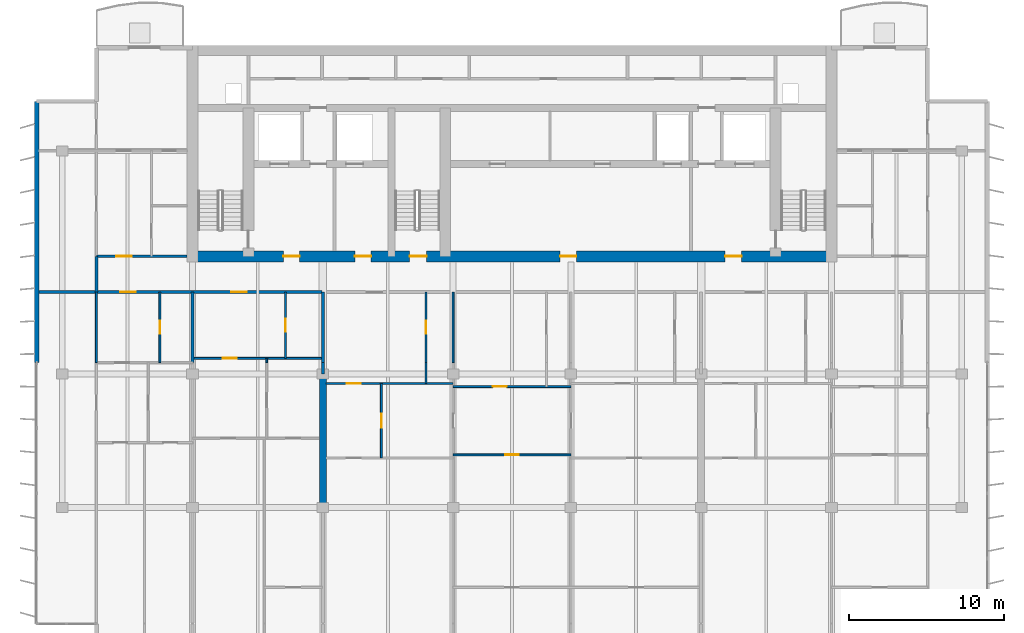
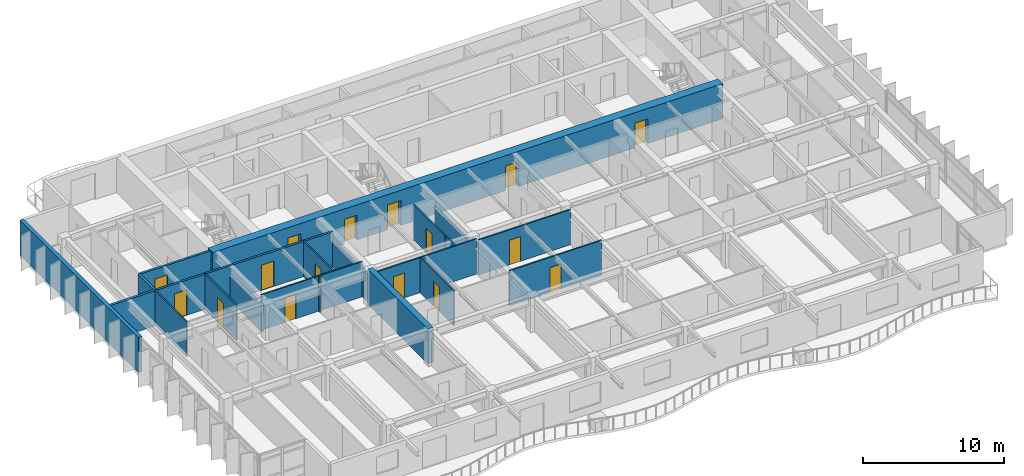
# One storey, part 7 of 16: 22 walls, 16 doors, 16 openings.
"""IFC4 building model written with IfcOpenShell, lengths in metres."""

from ifc_helpers import new_model, si_unit, direction, frame, frame_2d, origin, place, context, subcontext, project, spatial, rectangle, extrude, material, layer, layer_set, type_object, element, fill, save


model = new_model("IFC4")

# Units and contexts
model_context = context("Model", 3, precision=1e-05, world=origin(), true_north=direction((0.0, 1.0)))
body_context = subcontext(model_context, "Body", "Model", "MODEL_VIEW")
ifc_project = project(units=[si_unit("LENGTHUNIT", "METRE"), si_unit("AREAUNIT", "SQUARE_METRE"), si_unit("VOLUMEUNIT", "CUBIC_METRE"), si_unit("PLANEANGLEUNIT", "RADIAN"), si_unit("MASSUNIT", "GRAM", prefix="KILO")], contexts=[model_context])

# Site, building, storey
site_placement = place(None, origin())
site = spatial("IfcSite", under=ifc_project, at=site_placement, CompositionType="ELEMENT")
building_placement = place(site_placement, origin())
building = spatial("IfcBuilding", under=site, at=building_placement, Name="Caelmar Bay Residences", CompositionType="ELEMENT")
storey_placement = place(building_placement, frame((0.0, 0.0, 252.89990234375)))
storey = spatial("IfcBuildingStorey", under=building, at=storey_placement, Name="L71", CompositionType="ELEMENT", Elevation=252.89990234375)

# Wall, openings, doors
ifc_material_1 = material(Name="Concrete f'c 55 MPa (8,000 psi)", Category="concrete")
ifc_layer_1 = layer(ifc_material_1, 0.699951171875)
ifc_layer_set_1 = layer_set([ifc_layer_1], Name="Concrete f'c 55 MPa (8,000 psi)")
wall_type_1 = type_object("IfcWallType", Name="SW-COR-700", PredefinedType="SHEAR", material=ifc_layer_set_1)
wall_1_placement = place(storey_placement, frame((17.949951171875, 37.0, 0.0), z_axis=(0.0, 0.0, 1.0), x_axis=(1.0, 0.0, 0.0)))
wall_1 = element("IfcWall", 1, at=wall_1_placement, inside=storey, type_object=wall_type_1, Name="L71 Rear Core South Shear Wall", PredefinedType="SHEAR", context=body_context, shape_type="SweptSolid", body=[
    extrude(rectangle(XDim=41.900146484375, YDim=0.699951171875, at=frame_2d((20.9501953125, 0.0))), origin(), (0.0, 0.0, 1.0), 3.050048828125),
])
opening_1_placement = place(wall_1_placement, frame((14.35009765625, 0.0, 0.0)))
opening_1 = element("IfcOpeningElement", 2, at=opening_1_placement, cuts=wall_1, Name="Opening D-L71-105", PredefinedType="OPENING", context=body_context, shape_type="SweptSolid", body=[
    extrude(rectangle(XDim=1.10009765625, YDim=2.14990234375, at=frame_2d((0.550048828125, 1.074951171875))), frame((0.0, 0.35986328125, 0.0), z_axis=(0.0, -1.0, 0.0), x_axis=(1.0, 0.0, 0.0)), (0.0, 0.0, 1.0), 0.719970703125),
])
opening_2_placement = place(wall_1_placement, frame((6.199951171875, 0.0, 0.0)))
opening_2 = element("IfcOpeningElement", 3, at=opening_2_placement, cuts=wall_1, Name="Opening D-L71-106", PredefinedType="OPENING", context=body_context, shape_type="SweptSolid", body=[
    extrude(rectangle(XDim=1.050048828125, YDim=2.14990234375, at=frame_2d((0.52490234375, 1.074951171875))), frame((0.0, 0.35986328125, 0.0), z_axis=(0.0, -1.0, 0.0), x_axis=(1.0, 0.0, 0.0)), (0.0, 0.0, 1.0), 0.719970703125),
])
opening_3_placement = place(wall_1_placement, frame((34.699951171875, 0.0, 0.0)))
opening_3 = element("IfcOpeningElement", 4, at=opening_3_placement, cuts=wall_1, Name="Opening D-L71-109", PredefinedType="OPENING", context=body_context, shape_type="SweptSolid", body=[
    extrude(rectangle(XDim=1.050048828125, YDim=2.14990234375, at=frame_2d((0.52490234375, 1.074951171875))), frame((0.0, 0.35986328125, 0.0), z_axis=(0.0, -1.0, 0.0), x_axis=(1.0, 0.0, 0.0)), (0.0, 0.0, 1.0), 0.719970703125),
])
opening_4_placement = place(wall_1_placement, frame((10.8125, 0.0, 0.0)))
opening_4 = element("IfcOpeningElement", 5, at=opening_4_placement, cuts=wall_1, Name="Opening D-L71-112", PredefinedType="OPENING", context=body_context, shape_type="SweptSolid", body=[
    extrude(rectangle(XDim=1.050048828125, YDim=2.14990234375, at=frame_2d((0.52490234375, 1.074951171875))), frame((0.0, 0.35986328125, 0.0), z_axis=(0.0, -1.0, 0.0), x_axis=(1.0, 0.0, 0.0)), (0.0, 0.0, 1.0), 0.719970703125),
])
opening_5_placement = place(wall_1_placement, frame((24.050048828125, 0.0, 0.0)))
opening_5 = element("IfcOpeningElement", 6, at=opening_5_placement, cuts=wall_1, Name="Opening D-L71-113", PredefinedType="OPENING", context=body_context, shape_type="SweptSolid", body=[
    extrude(rectangle(XDim=1.050048828125, YDim=2.14990234375, at=frame_2d((0.52490234375, 1.074951171875))), frame((0.0, 0.35986328125, 0.0), z_axis=(0.0, -1.0, 0.0), x_axis=(1.0, 0.0, 0.0)), (0.0, 0.0, 1.0), 0.719970703125),
])
ifc_material_2 = material(Name="Fire-rated steel and walnut architectural door assembly", Category="steel")
ifc_layer_2 = layer(ifc_material_2, 0.050048828125)
ifc_layer_set_2 = layer_set([ifc_layer_2], Name="Fire-rated steel and walnut architectural door assembly")
door_type_1 = type_object("IfcDoorType", Name="D-FSAE-1050", OperationType="NOTDEFINED", PredefinedType="DOOR", material=ifc_layer_set_2)
door_1_placement = place(opening_2_placement, origin())
door_1 = element("IfcDoor", 7, at=door_1_placement, inside=storey, type_object=door_type_1, Name="L71 Firefighting Lobby West Door", OperationType="SINGLE_SWING_LEFT", OverallHeight=2.14990234375, OverallWidth=1.050048828125, PredefinedType="DOOR", context=body_context, shape_type="SweptSolid", body=[
    extrude(rectangle(XDim=1.050048828125, YDim=2.14990234375, at=frame_2d((0.52490234375, 1.074951171875))), frame((0.0, 0.02490234375, 0.0), z_axis=(0.0, -1.0, 0.0), x_axis=(1.0, 0.0, 0.0)), (0.0, 0.0, 1.0), 0.050048828125),
])
fill(opening_2, door_1)
door_2_placement = place(opening_3_placement, origin())
door_2 = element("IfcDoor", 8, at=door_2_placement, inside=storey, type_object=door_type_1, Name="L71 Firefighting Lobby East Door", OperationType="SINGLE_SWING_RIGHT", OverallHeight=2.14990234375, OverallWidth=1.050048828125, PredefinedType="DOOR", context=body_context, shape_type="SweptSolid", body=[
    extrude(rectangle(XDim=1.050048828125, YDim=2.14990234375, at=frame_2d((0.52490234375, 1.074951171875))), frame((0.0, 0.02490234375, 0.0), z_axis=(0.0, -1.0, 0.0), x_axis=(1.0, 0.0, 0.0)), (0.0, 0.0, 1.0), 0.050048828125),
])
fill(opening_3, door_2)
door_3_placement = place(opening_4_placement, origin())
door_3 = element("IfcDoor", 9, at=door_3_placement, inside=storey, type_object=door_type_1, Name="L71 West Lift Lobby Door", OperationType="SINGLE_SWING_LEFT", OverallHeight=2.14990234375, OverallWidth=1.050048828125, PredefinedType="DOOR", context=body_context, shape_type="SweptSolid", body=[
    extrude(rectangle(XDim=1.050048828125, YDim=2.14990234375, at=frame_2d((0.52490234375, 1.074951171875))), frame((0.0, 0.02490234375, 0.0), z_axis=(0.0, -1.0, 0.0), x_axis=(1.0, 0.0, 0.0)), (0.0, 0.0, 1.0), 0.050048828125),
])
fill(opening_4, door_3)
door_4_placement = place(opening_5_placement, origin())
door_4 = element("IfcDoor", 10, at=door_4_placement, inside=storey, type_object=door_type_1, Name="L71 Passenger Lift Lobby Door", OperationType="SINGLE_SWING_RIGHT", OverallHeight=2.14990234375, OverallWidth=1.050048828125, PredefinedType="DOOR", context=body_context, shape_type="SweptSolid", body=[
    extrude(rectangle(XDim=1.050048828125, YDim=2.14990234375, at=frame_2d((0.52490234375, 1.074951171875))), frame((0.0, 0.02490234375, 0.0), z_axis=(0.0, -1.0, 0.0), x_axis=(1.0, 0.0, 0.0)), (0.0, 0.0, 1.0), 0.050048828125),
])
fill(opening_5, door_4)
ifc_layer_3 = layer(ifc_material_2, 0.050048828125)
ifc_layer_set_3 = layer_set([ifc_layer_3], Name="Fire-rated steel and walnut architectural door assembly")
door_type_2 = type_object("IfcDoorType", Name="D-STAIR-1100", OperationType="NOTDEFINED", PredefinedType="DOOR", material=ifc_layer_set_3)
door_5_placement = place(opening_1_placement, origin())
door_5 = element("IfcDoor", 11, at=door_5_placement, inside=storey, type_object=door_type_2, Name="L71 Exit Stair ST3 Door", OperationType="SINGLE_SWING_RIGHT", OverallHeight=2.14990234375, OverallWidth=1.10009765625, PredefinedType="DOOR", context=body_context, shape_type="SweptSolid", body=[
    extrude(rectangle(XDim=1.10009765625, YDim=2.14990234375, at=frame_2d((0.550048828125, 1.074951171875))), frame((0.0, 0.02490234375, 0.0), z_axis=(0.0, -1.0, 0.0), x_axis=(1.0, 0.0, 0.0)), (0.0, 0.0, 1.0), 0.050048828125),
])
fill(opening_1, door_5)

# Walls
ifc_layer_4 = layer(ifc_material_1, 0.449951171875)
ifc_layer_set_4 = layer_set([ifc_layer_4], Name="Concrete f'c 55 MPa (8,000 psi)")
wall_type_2 = type_object("IfcWallType", Name="SW-XSLB-450", PredefinedType="SHEAR", material=ifc_layer_set_4)
wall_2_placement = place(storey_placement, frame((26.699951171875, 20.800048828125, 0.0), z_axis=(0.0, 0.0, 1.0), x_axis=(0.0, 1.0, 0.0)))
element("IfcWall", 12, at=wall_2_placement, inside=storey, type_object=wall_type_2, Name="L71 Transverse Cross-Slab Shear Wall W5", PredefinedType="SHEAR", context=body_context, shape_type="SweptSolid", body=[
    extrude(rectangle(XDim=8.599853515625, YDim=0.449951171875, at=frame_2d((4.2998046875, 0.0))), origin(), (0.0, 0.0, 1.0), 3.050048828125),
])
ifc_material_3 = material(Name="Double-stud acoustic fire-rated gypsum partition 180 mm")
ifc_layer_5 = layer(ifc_material_3, 0.179931640625)
ifc_layer_set_5 = layer_set([ifc_layer_5], Name="Double-stud acoustic fire-rated gypsum partition 180 mm")
wall_type_3 = type_object("IfcWallType", Name="W-COR-200", PredefinedType="PARTITIONING", material=ifc_layer_set_5)
wall_3_placement = place(storey_placement, frame((12.10009765625, 34.705078125, 0.0), z_axis=(0.0, 0.0, 1.0), x_axis=(0.0, 1.0, 0.0)))
element("IfcWall", 13, at=wall_3_placement, inside=storey, type_object=wall_type_3, Name="L71 Partition Wall V003", PredefinedType="PARTITIONING", context=body_context, shape_type="SweptSolid", body=[
    extrude(rectangle(XDim=2.294921875, YDim=0.179931640625, at=frame_2d((1.1474609375, 0.0))), origin(), (0.0, 0.0, 1.0), 3.050048828125),
])

# Wall, openings, doors
wall_4_placement = place(storey_placement, frame((12.10498046875, 34.699951171875, 0.0), z_axis=(0.0, 0.0, 1.0), x_axis=(1.0, 0.0, 0.0)))
wall_4 = element("IfcWall", 14, at=wall_4_placement, inside=storey, type_object=wall_type_3, Name="L71 Partition Wall H085", PredefinedType="PARTITIONING", context=body_context, shape_type="SweptSolid", body=[
    extrude(rectangle(XDim=14.544921875, YDim=0.179931640625, at=frame_2d((7.2724609375, 0.0))), origin(), (0.0, 0.0, 1.0), 3.050048828125),
])
opening_6_placement = place(wall_4_placement, frame((1.544921875, 0.0, 0.0)))
opening_6 = element("IfcOpeningElement", 15, at=opening_6_placement, cuts=wall_4, Name="Opening D-L71-124", PredefinedType="OPENING", context=body_context, shape_type="SweptSolid", body=[
    extrude(rectangle(XDim=1.0, YDim=2.199951171875, at=frame_2d((0.5, 1.10009765625))), frame((0.0, 0.099853515625, 0.0), z_axis=(0.0, -1.0, 0.0), x_axis=(1.0, 0.0, 0.0)), (0.0, 0.0, 1.0), 0.199951171875),
])
opening_7_placement = place(wall_4_placement, frame((8.69140625, 0.0, 0.0)))
opening_7 = element("IfcOpeningElement", 16, at=opening_7_placement, cuts=wall_4, Name="Opening D-L71-130", PredefinedType="OPENING", context=body_context, shape_type="SweptSolid", body=[
    extrude(rectangle(XDim=1.0, YDim=2.199951171875, at=frame_2d((0.5, 1.10009765625))), frame((0.0, 0.099853515625, 0.0), z_axis=(0.0, -1.0, 0.0), x_axis=(1.0, 0.0, 0.0)), (0.0, 0.0, 1.0), 0.199951171875),
])
ifc_layer_6 = layer(ifc_material_2, 0.050048828125)
ifc_layer_set_6 = layer_set([ifc_layer_6], Name="Fire-rated steel and walnut architectural door assembly")
door_type_3 = type_object("IfcDoorType", Name="D-UNIT-1000", OperationType="NOTDEFINED", PredefinedType="DOOR", material=ifc_layer_set_6)
door_6_placement = place(opening_6_placement, origin())
door_6 = element("IfcDoor", 17, at=door_6_placement, inside=storey, type_object=door_type_3, Name="L71 Residence 01 Apartment Hall Door", OperationType="SINGLE_SWING_LEFT", OverallHeight=2.199951171875, OverallWidth=1.0, PredefinedType="DOOR", context=body_context, shape_type="SweptSolid", body=[
    extrude(rectangle(XDim=1.0, YDim=2.199951171875, at=frame_2d((0.5, 1.10009765625))), frame((0.0, 0.02490234375, 0.0), z_axis=(0.0, -1.0, 0.0), x_axis=(1.0, 0.0, 0.0)), (0.0, 0.0, 1.0), 0.050048828125),
])
fill(opening_6, door_6)
door_7_placement = place(opening_7_placement, origin())
door_7 = element("IfcDoor", 18, at=door_7_placement, inside=storey, type_object=door_type_3, Name="L71 Residence 02 Apartment Hall Door", OperationType="SINGLE_SWING_LEFT", OverallHeight=2.199951171875, OverallWidth=1.0, PredefinedType="DOOR", context=body_context, shape_type="SweptSolid", body=[
    extrude(rectangle(XDim=1.0, YDim=2.199951171875, at=frame_2d((0.5, 1.10009765625))), frame((0.0, 0.02490234375, 0.0), z_axis=(0.0, -1.0, 0.0), x_axis=(1.0, 0.0, 0.0)), (0.0, 0.0, 1.0), 0.050048828125),
])
fill(opening_7, door_7)

# Wall, opening, door
wall_5_placement = place(storey_placement, frame((12.10009765625, 37.0, 0.0), z_axis=(0.0, 0.0, 1.0), x_axis=(1.0, 0.0, 0.0)))
wall_5 = element("IfcWall", 19, at=wall_5_placement, inside=storey, type_object=wall_type_3, Name="L71 Partition Wall H088", PredefinedType="PARTITIONING", context=body_context, shape_type="SweptSolid", body=[
    extrude(rectangle(XDim=5.844970703125, YDim=0.179931640625, at=frame_2d((2.92236328125, 0.0))), origin(), (0.0, 0.0, 1.0), 3.050048828125),
])
opening_8_placement = place(wall_5_placement, frame((1.27490234375, 0.0, 0.0)))
opening_8 = element("IfcOpeningElement", 20, at=opening_8_placement, cuts=wall_5, Name="Opening D-L71-164", PredefinedType="OPENING", context=body_context, shape_type="SweptSolid", body=[
    extrude(rectangle(XDim=1.0, YDim=2.199951171875, at=frame_2d((0.5, 1.10009765625))), frame((0.0, 0.099853515625, 0.0), z_axis=(0.0, -1.0, 0.0), x_axis=(1.0, 0.0, 0.0)), (0.0, 0.0, 1.0), 0.199951171875),
])
door_8_placement = place(opening_8_placement, origin())
door_8 = element("IfcDoor", 21, at=door_8_placement, inside=storey, type_object=door_type_3, Name="L71 Residence WA Kitchen Door", OperationType="SINGLE_SWING_LEFT", OverallHeight=2.199951171875, OverallWidth=1.0, PredefinedType="DOOR", context=body_context, shape_type="SweptSolid", body=[
    extrude(rectangle(XDim=1.0, YDim=2.199951171875, at=frame_2d((0.5, 1.10009765625))), frame((0.0, 0.02490234375, 0.0), z_axis=(0.0, -1.0, 0.0), x_axis=(1.0, 0.0, 0.0)), (0.0, 0.0, 1.0), 0.050048828125),
])
fill(opening_8, door_8)

# Walls
ifc_material_4 = material(Name="Precast concrete f'c 40 MPa (6,000 psi)", Category="concrete")
ifc_layer_7 = layer(ifc_material_4, 0.300048828125)
ifc_layer_set_7 = layer_set([ifc_layer_7], Name="Precast concrete f'c 40 MPa (6,000 psi)")
wall_type_4 = type_object("IfcWallType", Name="W-EXT-300", PredefinedType="STANDARD", material=ifc_layer_set_7)
wall_6_placement = place(storey_placement, frame((8.25, 30.14990234375, 0.0), z_axis=(0.0, 0.0, 1.0), x_axis=(0.0, 1.0, 0.0)))
element("IfcWall", 22, at=wall_6_placement, inside=storey, type_object=wall_type_4, Name="L71 West Rear Exterior Wall", PredefinedType="STANDARD", context=body_context, shape_type="SweptSolid", body=[
    extrude(rectangle(XDim=16.85009765625, YDim=0.300048828125, at=frame_2d((8.425048828125, 0.0))), origin(), (0.0, 0.0, 1.0), 3.050048828125),
])
ifc_material_5 = material(Name="Acoustic metal-stud gypsum partition 120 mm")
ifc_layer_8 = layer(ifc_material_5, 0.1201171875)
ifc_layer_set_8 = layer_set([ifc_layer_8], Name="Acoustic metal-stud gypsum partition 120 mm")
wall_type_5 = type_object("IfcWallType", Name="W-PRT-120", PredefinedType="PARTITIONING", material=ifc_layer_set_8)
wall_7_placement = place(storey_placement, frame((12.10009765625, 30.14990234375, 0.0), z_axis=(0.0, 0.0, 1.0), x_axis=(0.0, 1.0, 0.0)))
element("IfcWall", 23, at=wall_7_placement, inside=storey, type_object=wall_type_5, Name="L71 Partition Wall V002", PredefinedType="PARTITIONING", context=body_context, shape_type="SweptSolid", body=[
    extrude(rectangle(XDim=4.550048828125, YDim=0.1201171875, at=frame_2d((2.27490234375, 0.0))), origin(), (0.0, 0.0, 1.0), 3.050048828125),
])

# Wall, opening, door
wall_8_placement = place(storey_placement, frame((16.195068359375, 30.14990234375, 0.0), z_axis=(0.0, 0.0, 1.0), x_axis=(0.0, 1.0, 0.0)))
wall_8 = element("IfcWall", 24, at=wall_8_placement, inside=storey, type_object=wall_type_5, Name="L71 Partition Wall V009", PredefinedType="PARTITIONING", context=body_context, shape_type="SweptSolid", body=[
    extrude(rectangle(XDim=4.550048828125, YDim=0.1201171875, at=frame_2d((2.27490234375, 0.0))), origin(), (0.0, 0.0, 1.0), 3.050048828125),
])
opening_9_placement = place(wall_8_placement, frame((1.85009765625, 0.0, 0.0)))
opening_9 = element("IfcOpeningElement", 25, at=opening_9_placement, cuts=wall_8, Name="Opening D-L71-125", PredefinedType="OPENING", context=body_context, shape_type="SweptSolid", body=[
    extrude(rectangle(XDim=0.85009765625, YDim=2.10009765625, at=frame_2d((0.425048828125, 1.050048828125))), frame((0.0, 0.070068359375, 0.0), z_axis=(0.0, -1.0, 0.0), x_axis=(1.0, 0.0, 0.0)), (0.0, 0.0, 1.0), 0.14013671875),
])
ifc_material_6 = material(Name="Solid walnut timber interior door leaf and frame", Category="wood")
ifc_layer_9 = layer(ifc_material_6, 0.050048828125)
ifc_layer_set_9 = layer_set([ifc_layer_9], Name="Solid walnut timber interior door leaf and frame")
door_type_4 = type_object("IfcDoorType", Name="D-BATH-850", OperationType="NOTDEFINED", PredefinedType="DOOR", material=ifc_layer_set_9)
door_9_placement = place(opening_9_placement, origin())
door_9 = element("IfcDoor", 26, at=door_9_placement, inside=storey, type_object=door_type_4, Name="L71 Residence 01 Bathroom Door", OperationType="SINGLE_SWING_RIGHT", OverallHeight=2.10009765625, OverallWidth=0.85009765625, PredefinedType="DOOR", context=body_context, shape_type="SweptSolid", body=[
    extrude(rectangle(XDim=0.85009765625, YDim=2.10009765625, at=frame_2d((0.425048828125, 1.050048828125))), frame((0.0, 0.02490234375, 0.0), z_axis=(0.0, -1.0, 0.0), x_axis=(1.0, 0.0, 0.0)), (0.0, 0.0, 1.0), 0.050048828125),
])
fill(opening_9, door_9)

# Wall
wall_9_placement = place(storey_placement, frame((23.0859375, 30.14990234375, 0.0), z_axis=(0.0, 0.0, 1.0), x_axis=(0.0, 1.0, 0.0)))
element("IfcWall", 27, at=wall_9_placement, inside=storey, type_object=wall_type_5, Name="L71 Partition Wall V017", PredefinedType="PARTITIONING", context=body_context, shape_type="SweptSolid", body=[
    extrude(rectangle(XDim=0.27001953125, YDim=0.1201171875, at=frame_2d((0.135009765625, 0.0))), origin(), (0.0, 0.0, 1.0), 3.050048828125),
])

# Wall, opening, door
wall_10_placement = place(storey_placement, frame((24.29296875, 30.419921875, 0.0), z_axis=(0.0, 0.0, 1.0), x_axis=(0.0, 1.0, 0.0)))
wall_10 = element("IfcWall", 28, at=wall_10_placement, inside=storey, type_object=wall_type_5, Name="L71 Partition Wall V018", PredefinedType="PARTITIONING", context=body_context, shape_type="SweptSolid", body=[
    extrude(rectangle(XDim=4.280029296875, YDim=0.1201171875, at=frame_2d((2.14013671875, 0.0))), origin(), (0.0, 0.0, 1.0), 3.050048828125),
])
opening_10_placement = place(wall_10_placement, frame((1.715087890625, 0.0, 0.0)))
opening_10 = element("IfcOpeningElement", 29, at=opening_10_placement, cuts=wall_10, Name="Opening D-L71-131", PredefinedType="OPENING", context=body_context, shape_type="SweptSolid", body=[
    extrude(rectangle(XDim=0.85009765625, YDim=2.10009765625, at=frame_2d((0.425048828125, 1.050048828125))), frame((0.0, 0.070068359375, 0.0), z_axis=(0.0, -1.0, 0.0), x_axis=(1.0, 0.0, 0.0)), (0.0, 0.0, 1.0), 0.14013671875),
])
door_10_placement = place(opening_10_placement, origin())
door_10 = element("IfcDoor", 30, at=door_10_placement, inside=storey, type_object=door_type_4, Name="L71 Residence 02 Bathroom Door", OperationType="SINGLE_SWING_RIGHT", OverallHeight=2.10009765625, OverallWidth=0.85009765625, PredefinedType="DOOR", context=body_context, shape_type="SweptSolid", body=[
    extrude(rectangle(XDim=0.85009765625, YDim=2.10009765625, at=frame_2d((0.425048828125, 1.050048828125))), frame((0.0, 0.02490234375, 0.0), z_axis=(0.0, -1.0, 0.0), x_axis=(1.0, 0.0, 0.0)), (0.0, 0.0, 1.0), 0.050048828125),
])
fill(opening_10, door_10)

wall_11_placement = place(storey_placement, frame((30.47998046875, 24.0, 0.0), z_axis=(0.0, 0.0, 1.0), x_axis=(0.0, 1.0, 0.0)))
wall_11 = element("IfcWall", 31, at=wall_11_placement, inside=storey, type_object=wall_type_5, Name="L71 Partition Wall V027", PredefinedType="PARTITIONING", context=body_context, shape_type="SweptSolid", body=[
    extrude(rectangle(XDim=4.800048828125, YDim=0.1201171875, at=frame_2d((2.39990234375, 0.0))), origin(), (0.0, 0.0, 1.0), 3.050048828125),
])
opening_11_placement = place(wall_11_placement, frame((1.949951171875, 0.0, 0.0)))
opening_11 = element("IfcOpeningElement", 32, at=opening_11_placement, cuts=wall_11, Name="Opening D-L71-140", PredefinedType="OPENING", context=body_context, shape_type="SweptSolid", body=[
    extrude(rectangle(XDim=0.89990234375, YDim=2.14990234375, at=frame_2d((0.449951171875, 1.074951171875))), frame((0.0, 0.070068359375, 0.0), z_axis=(0.0, -1.0, 0.0), x_axis=(1.0, 0.0, 0.0)), (0.0, 0.0, 1.0), 0.14013671875),
])
ifc_layer_10 = layer(ifc_material_6, 0.050048828125)
ifc_layer_set_10 = layer_set([ifc_layer_10], Name="Solid walnut timber interior door leaf and frame")
door_type_5 = type_object("IfcDoorType", Name="D-ROOM-900", OperationType="NOTDEFINED", PredefinedType="DOOR", material=ifc_layer_set_10)
door_11_placement = place(opening_11_placement, origin())
door_11 = element("IfcDoor", 33, at=door_11_placement, inside=storey, type_object=door_type_5, Name="L71 Residence 03 Kitchen Door", OperationType="SINGLE_SWING_LEFT", OverallHeight=2.14990234375, OverallWidth=0.89990234375, PredefinedType="DOOR", context=body_context, shape_type="SweptSolid", body=[
    extrude(rectangle(XDim=0.89990234375, YDim=2.14990234375, at=frame_2d((0.449951171875, 1.074951171875))), frame((0.0, 0.02490234375, 0.0), z_axis=(0.0, -1.0, 0.0), x_axis=(1.0, 0.0, 0.0)), (0.0, 0.0, 1.0), 0.050048828125),
])
fill(opening_11, door_11)

# Wall
wall_12_placement = place(storey_placement, frame((33.35400390625, 28.800048828125, 0.0), z_axis=(0.0, 0.0, 1.0), x_axis=(0.0, 1.0, 0.0)))
element("IfcWall", 34, at=wall_12_placement, inside=storey, type_object=wall_type_5, Name="L71 Partition Wall V029", PredefinedType="PARTITIONING", context=body_context, shape_type="SweptSolid", body=[
    extrude(rectangle(XDim=1.33984375, YDim=0.1201171875, at=frame_2d((0.669921875, 0.0))), origin(), (0.0, 0.0, 1.0), 3.050048828125),
])

# Wall, opening, door
wall_13_placement = place(storey_placement, frame((33.35400390625, 30.14990234375, 0.0), z_axis=(0.0, 0.0, 1.0), x_axis=(0.0, 1.0, 0.0)))
wall_13 = element("IfcWall", 35, at=wall_13_placement, inside=storey, type_object=wall_type_5, Name="L71 Partition Wall V030", PredefinedType="PARTITIONING", context=body_context, shape_type="SweptSolid", body=[
    extrude(rectangle(XDim=4.550048828125, YDim=0.1201171875, at=frame_2d((2.27490234375, 0.0))), origin(), (0.0, 0.0, 1.0), 3.050048828125),
])
opening_12_placement = place(wall_13_placement, frame((1.85009765625, 0.0, 0.0)))
opening_12 = element("IfcOpeningElement", 36, at=opening_12_placement, cuts=wall_13, Name="Opening D-L71-138", PredefinedType="OPENING", context=body_context, shape_type="SweptSolid", body=[
    extrude(rectangle(XDim=0.85009765625, YDim=2.10009765625, at=frame_2d((0.425048828125, 1.050048828125))), frame((0.0, 0.070068359375, 0.0), z_axis=(0.0, -1.0, 0.0), x_axis=(1.0, 0.0, 0.0)), (0.0, 0.0, 1.0), 0.14013671875),
])
door_12_placement = place(opening_12_placement, origin())
door_12 = element("IfcDoor", 37, at=door_12_placement, inside=storey, type_object=door_type_4, Name="L71 Residence 03 Guest Bathroom Door", OperationType="SINGLE_SWING_LEFT", OverallHeight=2.10009765625, OverallWidth=0.85009765625, PredefinedType="DOOR", context=body_context, shape_type="SweptSolid", body=[
    extrude(rectangle(XDim=0.85009765625, YDim=2.10009765625, at=frame_2d((0.425048828125, 1.050048828125))), frame((0.0, 0.02490234375, 0.0), z_axis=(0.0, -1.0, 0.0), x_axis=(1.0, 0.0, 0.0)), (0.0, 0.0, 1.0), 0.050048828125),
])
fill(opening_12, door_12)

# Wall
wall_14_placement = place(storey_placement, frame((35.10009765625, 30.14990234375, 0.0), z_axis=(0.0, 0.0, 1.0), x_axis=(0.0, 1.0, 0.0)))
element("IfcWall", 38, at=wall_14_placement, inside=storey, type_object=wall_type_5, Name="L71 Partition Wall V033", PredefinedType="PARTITIONING", context=body_context, shape_type="SweptSolid", body=[
    extrude(rectangle(XDim=4.550048828125, YDim=0.1201171875, at=frame_2d((2.27490234375, 0.0))), origin(), (0.0, 0.0, 1.0), 2.26318359375),
])

# Wall, opening, door
wall_15_placement = place(storey_placement, frame((35.10498046875, 24.199951171875, 0.0), z_axis=(0.0, 0.0, 1.0), x_axis=(1.0, 0.0, 0.0)))
wall_15 = element("IfcWall", 39, at=wall_15_placement, inside=storey, type_object=wall_type_5, Name="L71 Partition Wall H073", PredefinedType="PARTITIONING", context=body_context, shape_type="SweptSolid", body=[
    extrude(rectangle(XDim=7.590087890625, YDim=0.1201171875, at=frame_2d((3.794921875, 0.0))), origin(), (0.0, 0.0, 1.0), 3.050048828125),
])
opening_13_placement = place(wall_15_placement, frame((3.344970703125, 0.0, 0.0)))
opening_13 = element("IfcOpeningElement", 40, at=opening_13_placement, cuts=wall_15, Name="Opening D-L71-145", PredefinedType="OPENING", context=body_context, shape_type="SweptSolid", body=[
    extrude(rectangle(XDim=0.89990234375, YDim=2.14990234375, at=frame_2d((0.449951171875, 1.074951171875))), frame((0.0, 0.070068359375, 0.0), z_axis=(0.0, -1.0, 0.0), x_axis=(1.0, 0.0, 0.0)), (0.0, 0.0, 1.0), 0.14013671875),
])
door_13_placement = place(opening_13_placement, origin())
door_13 = element("IfcDoor", 41, at=door_13_placement, inside=storey, type_object=door_type_5, Name="L71 Residence 03 Penthouse Sitting Salon 1 Door", OperationType="SINGLE_SWING_RIGHT", OverallHeight=2.14990234375, OverallWidth=0.89990234375, PredefinedType="DOOR", context=body_context, shape_type="SweptSolid", body=[
    extrude(rectangle(XDim=0.89990234375, YDim=2.14990234375, at=frame_2d((0.449951171875, 1.074951171875))), frame((0.0, 0.02490234375, 0.0), z_axis=(0.0, -1.0, 0.0), x_axis=(1.0, 0.0, 0.0)), (0.0, 0.0, 1.0), 0.050048828125),
])
fill(opening_13, door_13)

wall_16_placement = place(storey_placement, frame((35.10009765625, 28.60009765625, 0.0), z_axis=(0.0, 0.0, 1.0), x_axis=(1.0, 0.0, 0.0)))
wall_16 = element("IfcWall", 42, at=wall_16_placement, inside=storey, type_object=wall_type_5, Name="L71 Partition Wall H077", PredefinedType="PARTITIONING", context=body_context, shape_type="SweptSolid", body=[
    extrude(rectangle(XDim=7.599853515625, YDim=0.1201171875, at=frame_2d((3.7998046875, 0.0))), origin(), (0.0, 0.0, 1.0), 3.050048828125),
])
opening_14_placement = place(wall_16_placement, frame((2.56298828125, 0.0, 0.0)))
opening_14 = element("IfcOpeningElement", 43, at=opening_14_placement, cuts=wall_16, Name="Opening D-L71-143", PredefinedType="OPENING", context=body_context, shape_type="SweptSolid", body=[
    extrude(rectangle(XDim=0.89990234375, YDim=2.14990234375, at=frame_2d((0.449951171875, 1.074951171875))), frame((0.0, 0.070068359375, 0.0), z_axis=(0.0, -1.0, 0.0), x_axis=(1.0, 0.0, 0.0)), (0.0, 0.0, 1.0), 0.14013671875),
])
door_14_placement = place(opening_14_placement, origin())
door_14 = element("IfcDoor", 44, at=door_14_placement, inside=storey, type_object=door_type_5, Name="L71 Residence 03 Private Meeting Room 1 Door", OperationType="SINGLE_SWING_RIGHT", OverallHeight=2.14990234375, OverallWidth=0.89990234375, PredefinedType="DOOR", context=body_context, shape_type="SweptSolid", body=[
    extrude(rectangle(XDim=0.89990234375, YDim=2.14990234375, at=frame_2d((0.449951171875, 1.074951171875))), frame((0.0, 0.02490234375, 0.0), z_axis=(0.0, -1.0, 0.0), x_axis=(1.0, 0.0, 0.0)), (0.0, 0.0, 1.0), 0.050048828125),
])
fill(opening_14, door_14)

wall_17_placement = place(storey_placement, frame((26.919921875, 28.800048828125, 0.0), z_axis=(0.0, 0.0, 1.0), x_axis=(1.0, 0.0, 0.0)))
wall_17 = element("IfcWall", 45, at=wall_17_placement, inside=storey, type_object=wall_type_5, Name="L71 Partition Wall H079", PredefinedType="PARTITIONING", context=body_context, shape_type="SweptSolid", body=[
    extrude(rectangle(XDim=8.175048828125, YDim=0.1201171875, at=frame_2d((4.08740234375, 0.0))), origin(), (0.0, 0.0, 1.0), 3.050048828125),
])
opening_15_placement = place(wall_17_placement, frame((1.330078125, 0.0, 0.0)))
opening_15 = element("IfcOpeningElement", 46, at=opening_15_placement, cuts=wall_17, Name="Opening D-L71-139", PredefinedType="OPENING", context=body_context, shape_type="SweptSolid", body=[
    extrude(rectangle(XDim=0.89990234375, YDim=2.14990234375, at=frame_2d((0.449951171875, 1.074951171875))), frame((0.0, 0.070068359375, 0.0), z_axis=(0.0, -1.0, 0.0), x_axis=(1.0, 0.0, 0.0)), (0.0, 0.0, 1.0), 0.14013671875),
])
door_15_placement = place(opening_15_placement, origin())
door_15 = element("IfcDoor", 47, at=door_15_placement, inside=storey, type_object=door_type_5, Name="L71 Residence 03 Dining Room Door", OperationType="SINGLE_SWING_RIGHT", OverallHeight=2.14990234375, OverallWidth=0.89990234375, PredefinedType="DOOR", context=body_context, shape_type="SweptSolid", body=[
    extrude(rectangle(XDim=0.89990234375, YDim=2.14990234375, at=frame_2d((0.449951171875, 1.074951171875))), frame((0.0, 0.02490234375, 0.0), z_axis=(0.0, -1.0, 0.0), x_axis=(1.0, 0.0, 0.0)), (0.0, 0.0, 1.0), 0.050048828125),
])
fill(opening_15, door_15)

wall_18_placement = place(storey_placement, frame((18.300048828125, 30.419921875, 0.0), z_axis=(0.0, 0.0, 1.0), x_axis=(1.0, 0.0, 0.0)))
wall_18 = element("IfcWall", 48, at=wall_18_placement, inside=storey, type_object=wall_type_5, Name="L71 Partition Wall H083", PredefinedType="PARTITIONING", context=body_context, shape_type="SweptSolid", body=[
    extrude(rectangle(XDim=8.349853515625, YDim=0.1201171875, at=frame_2d((4.1748046875, 0.0))), origin(), (0.0, 0.0, 1.0), 3.050048828125),
])
opening_16_placement = place(wall_18_placement, frame((1.943115234375, 0.0, 0.0)))
opening_16 = element("IfcOpeningElement", 49, at=opening_16_placement, cuts=wall_18, Name="Opening D-L71-132", PredefinedType="OPENING", context=body_context, shape_type="SweptSolid", body=[
    extrude(rectangle(XDim=0.89990234375, YDim=2.14990234375, at=frame_2d((0.449951171875, 1.074951171875))), frame((0.0, 0.070068359375, 0.0), z_axis=(0.0, -1.0, 0.0), x_axis=(1.0, 0.0, 0.0)), (0.0, 0.0, 1.0), 0.14013671875),
])
door_16_placement = place(opening_16_placement, origin())
door_16 = element("IfcDoor", 50, at=door_16_placement, inside=storey, type_object=door_type_5, Name="L71 Residence 02 Kitchen Door", OperationType="SINGLE_SWING_LEFT", OverallHeight=2.14990234375, OverallWidth=0.89990234375, PredefinedType="DOOR", context=body_context, shape_type="SweptSolid", body=[
    extrude(rectangle(XDim=0.89990234375, YDim=2.14990234375, at=frame_2d((0.449951171875, 1.074951171875))), frame((0.0, 0.02490234375, 0.0), z_axis=(0.0, -1.0, 0.0), x_axis=(1.0, 0.0, 0.0)), (0.0, 0.0, 1.0), 0.050048828125),
])
fill(opening_16, door_16)

# Walls
ifc_material_7 = material(Name="Acoustic twin-stud fire-rated inter-tenancy partition 200 mm")
ifc_layer_11 = layer(ifc_material_7, 0.199951171875)
ifc_layer_set_11 = layer_set([ifc_layer_11], Name="Acoustic twin-stud fire-rated inter-tenancy partition 200 mm")
wall_type_6 = type_object("IfcWallType", Name="W-PTY-200", PredefinedType="PARTITIONING", material=ifc_layer_set_11)
wall_19_placement = place(storey_placement, frame((18.300048828125, 30.14990234375, 0.0), z_axis=(0.0, 0.0, 1.0), x_axis=(0.0, 1.0, 0.0)))
element("IfcWall", 51, at=wall_19_placement, inside=storey, type_object=wall_type_6, Name="L71 Partition Wall V012", PredefinedType="PARTITIONING", context=body_context, shape_type="SweptSolid", body=[
    extrude(rectangle(XDim=4.550048828125, YDim=0.199951171875, at=frame_2d((2.27490234375, 0.0))), origin(), (0.0, 0.0, 1.0), 2.26318359375),
])
wall_20_placement = place(storey_placement, frame((26.699951171875, 29.405029296875, 0.0), z_axis=(0.0, 0.0, 1.0), x_axis=(0.0, 1.0, 0.0)))
element("IfcWall", 52, at=wall_20_placement, inside=storey, type_object=wall_type_6, Name="L71 Partition Wall V023", PredefinedType="PARTITIONING", context=body_context, shape_type="SweptSolid", body=[
    extrude(rectangle(XDim=0.73486328125, YDim=0.199951171875, at=frame_2d((0.367431640625, 0.0))), origin(), (0.0, 0.0, 1.0), 2.335205078125),
])
wall_21_placement = place(storey_placement, frame((26.699951171875, 30.14990234375, 0.0), z_axis=(0.0, 0.0, 1.0), x_axis=(0.0, 1.0, 0.0)))
element("IfcWall", 53, at=wall_21_placement, inside=storey, type_object=wall_type_6, Name="L71 Partition Wall V024", PredefinedType="PARTITIONING", context=body_context, shape_type="SweptSolid", body=[
    extrude(rectangle(XDim=4.550048828125, YDim=0.199951171875, at=frame_2d((2.27490234375, 0.0))), origin(), (0.0, 0.0, 1.0), 2.335205078125),
])
wall_22_placement = place(storey_placement, frame((8.39501953125, 34.699951171875, 0.0), z_axis=(0.0, 0.0, 1.0), x_axis=(1.0, 0.0, 0.0)))
element("IfcWall", 54, at=wall_22_placement, inside=storey, type_object=wall_type_6, Name="L71 Partition Wall H084", PredefinedType="PARTITIONING", context=body_context, shape_type="SweptSolid", body=[
    extrude(rectangle(XDim=3.705078125, YDim=0.199951171875, at=frame_2d((1.8525390625, 0.0))), origin(), (0.0, 0.0, 1.0), 3.050048828125),
])

save(model, "model.ifc")
